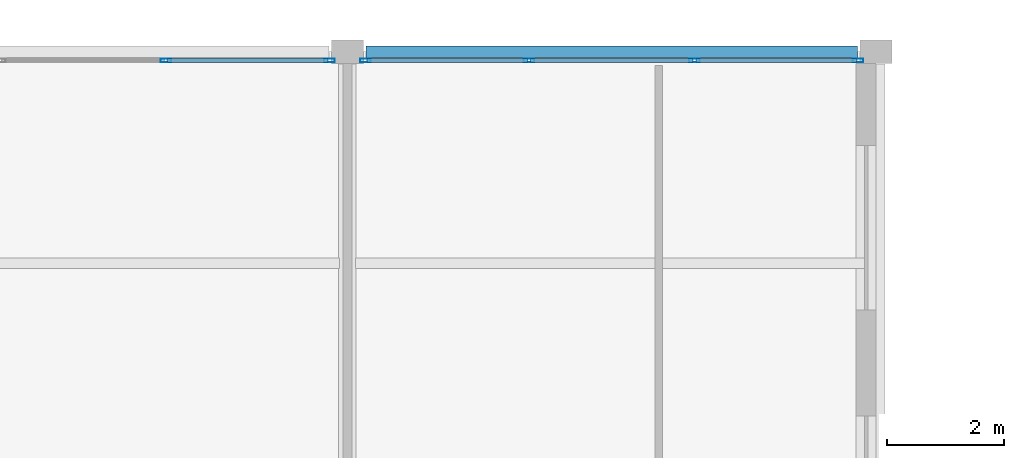
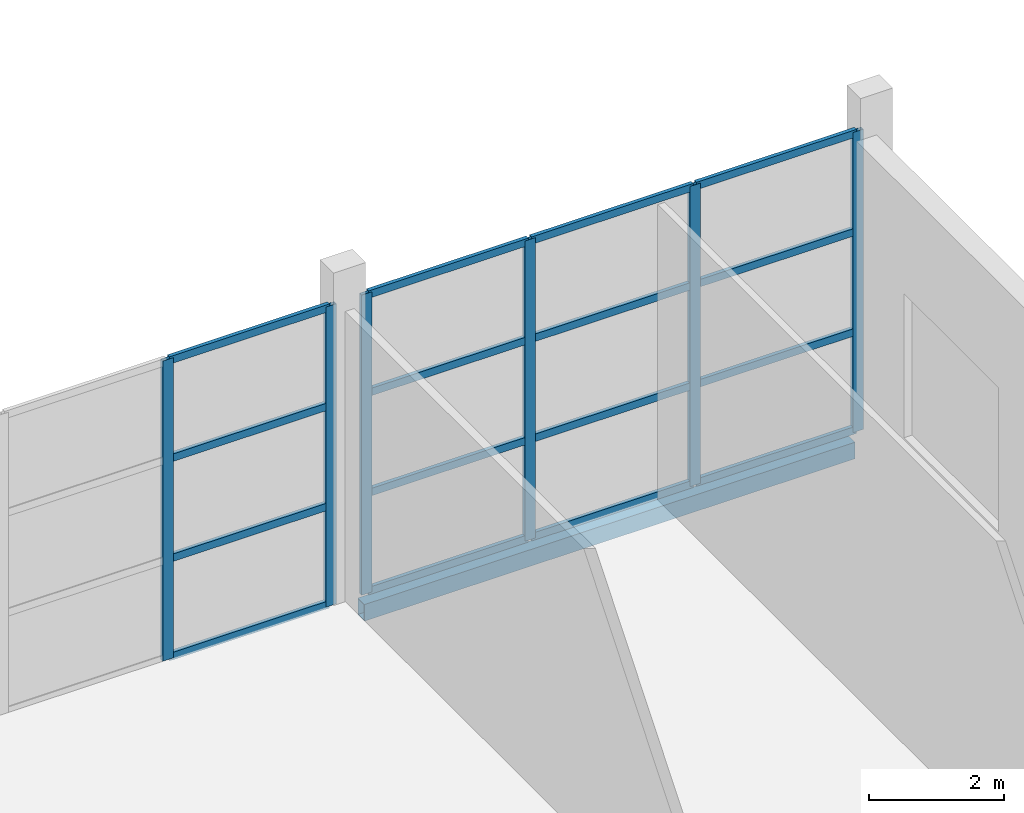
# One storey, part 99 of 191: 22 members, 1 beam, 2 elements without a shape of their own.
"""IFC4 building model written with IfcOpenShell, lengths in metres."""

from ifc_helpers import new_model, si_unit, direction, frame, origin, origin_2d, place, context, subcontext, project, spatial, hollow_rectangle, extrude, material, layer, layer_set, material_profile, profile_set, type_object, element, aggregate, save


model = new_model("IFC4")

# Units and contexts
model_context = context("Model", 3, precision=1e-05, world=origin(), true_north=direction((0.0, 1.0)))
body_context = subcontext(model_context, "Body", "Model", "MODEL_VIEW")
ifc_project = project(units=[si_unit("LENGTHUNIT", "METRE"), si_unit("AREAUNIT", "SQUARE_METRE"), si_unit("VOLUMEUNIT", "CUBIC_METRE"), si_unit("PLANEANGLEUNIT", "RADIAN"), si_unit("MASSUNIT", "GRAM", prefix="KILO")], contexts=[model_context])

# Site, building, storey
site_placement = place(None, origin())
site = spatial("IfcSite", under=ifc_project, at=site_placement, CompositionType="ELEMENT")
building_placement = place(site_placement, origin())
building = spatial("IfcBuilding", under=site, at=building_placement, Name="Tamarisk Ironworks Central Station", CompositionType="ELEMENT")
storey_placement = place(building_placement, frame((0.0, 0.0, 6.60009765625)))
storey = spatial("IfcBuildingStorey", under=building, at=storey_placement, Name="L01", CompositionType="ELEMENT", Elevation=6.60009765625)

# Beam
ifc_material_1 = material(Name="Structural steel S355J2", Category="steel")
ifc_material_profile_1 = material_profile(ifc_material_1, hollow_rectangle(XDim=0.199951171875, YDim=0.300048828125, WallThickness=0.011962890625, at=origin_2d()), Name="RHS 300x200x12")
ifc_profile_set_1 = profile_set([ifc_material_profile_1], Name="Structural steel S355J2")
beam_type = type_object("IfcBeamType", Name="BM-SP02", PredefinedType="SPANDREL", material=ifc_profile_set_1)
beam_placement = place(storey_placement, frame((36.31298828125, 122.39990234375, -0.400146484375), z_axis=(1.0, 0.0, 0.0), x_axis=(0.0, 1.0, 0.0)))
element("IfcBeam", 1, at=beam_placement, inside=storey, type_object=beam_type, Name="L01 primary girder X-0147", PredefinedType="SPANDREL", context=body_context, shape_type="SweptSolid", body=[
    extrude(hollow_rectangle(XDim=0.199951171875, YDim=0.300048828125, WallThickness=0.011962890625, at=origin_2d()), origin(), (0.0, 0.0, 1.0), 8.3740234375),
])

# Curtain wall, members
ifc_material_2 = material(Name="Anodized aluminium alloy 6063-T6", Category="aluminium")
ifc_layer = layer(ifc_material_2, 0.179931640625)
ifc_layer_set = layer_set([ifc_layer], Name="Anodized aluminium alloy 6063-T6")
curtain_wall_type = type_object("IfcCurtainWallType", Name="CW-13", PredefinedType="USERDEFINED", material=ifc_layer_set)
curtain_wall_1_placement = place(storey_placement, origin())
curtain_wall_1 = element("IfcCurtainWall", 2, at=curtain_wall_1_placement, inside=storey, type_object=curtain_wall_type, Name="Pavilion L01 N glazed arcade 27", ObjectType="GLAZED CURTAIN WALL", PredefinedType="USERDEFINED")
ifc_material_profile_2 = material_profile(ifc_material_2, hollow_rectangle(XDim=0.06494140625, YDim=0.179931640625, WallThickness=0.00390625, at=origin_2d()), Name="ALUM 180x65")
ifc_profile_set_2 = profile_set([ifc_material_profile_2], Name="Anodized aluminium alloy 6063-T6")
member_type_1 = type_object("IfcMemberType", Name="CWM-02", PredefinedType="MULLION", material=ifc_profile_set_2)
member_1_placement = place(storey_placement, frame((32.908935546875, 122.25, 0.0), z_axis=(0.0, 0.0, 1.0), x_axis=(0.0, 1.0, 0.0)))
member_1 = element("IfcMember", 3, at=member_1_placement, type_object=member_type_1, Name="CW13 mullion 3", PredefinedType="MULLION", context=body_context, shape_type="SweptSolid", body=[
    extrude(hollow_rectangle(XDim=0.06494140625, YDim=0.179931640625, WallThickness=0.00390625, at=origin_2d()), origin(), (0.0, 0.0, 1.0), 5.419921875),
])
member_2_placement = place(storey_placement, frame((35.694580078125, 122.25, 0.0), z_axis=(0.0, 0.0, 1.0), x_axis=(0.0, 1.0, 0.0)))
member_2 = element("IfcMember", 4, at=member_2_placement, type_object=member_type_1, Name="CW13 mullion 4", PredefinedType="MULLION", context=body_context, shape_type="SweptSolid", body=[
    extrude(hollow_rectangle(XDim=0.06494140625, YDim=0.179931640625, WallThickness=0.00390625, at=origin_2d()), origin(), (0.0, 0.0, 1.0), 5.419921875),
])

curtain_wall_2_placement = place(storey_placement, origin())
curtain_wall_2 = element("IfcCurtainWall", 5, at=curtain_wall_2_placement, inside=storey, type_object=curtain_wall_type, Name="Pavilion L01 N glazed arcade 36", ObjectType="GLAZED CURTAIN WALL", PredefinedType="USERDEFINED")
member_3_placement = place(storey_placement, frame((36.305419921875, 122.25, 0.0), z_axis=(0.0, 0.0, 1.0), x_axis=(0.0, 1.0, 0.0)))
member_3 = element("IfcMember", 6, at=member_3_placement, type_object=member_type_1, Name="CW13 mullion 1", PredefinedType="MULLION", context=body_context, shape_type="SweptSolid", body=[
    extrude(hollow_rectangle(XDim=0.06494140625, YDim=0.179931640625, WallThickness=0.00390625, at=origin_2d()), origin(), (0.0, 0.0, 1.0), 5.419921875),
])
member_4_placement = place(storey_placement, frame((39.091064453125, 122.25, 0.0), z_axis=(0.0, 0.0, 1.0), x_axis=(0.0, 1.0, 0.0)))
member_4 = element("IfcMember", 7, at=member_4_placement, type_object=member_type_1, Name="CW13 mullion 2", PredefinedType="MULLION", context=body_context, shape_type="SweptSolid", body=[
    extrude(hollow_rectangle(XDim=0.06494140625, YDim=0.179931640625, WallThickness=0.00390625, at=origin_2d()), origin(), (0.0, 0.0, 1.0), 5.419921875),
])
member_5_placement = place(storey_placement, frame((41.908935546875, 122.25, 0.0), z_axis=(0.0, 0.0, 1.0), x_axis=(0.0, 1.0, 0.0)))
member_5 = element("IfcMember", 8, at=member_5_placement, type_object=member_type_1, Name="CW13 mullion 3", PredefinedType="MULLION", context=body_context, shape_type="SweptSolid", body=[
    extrude(hollow_rectangle(XDim=0.06494140625, YDim=0.179931640625, WallThickness=0.00390625, at=origin_2d()), origin(), (0.0, 0.0, 1.0), 5.419921875),
])
member_6_placement = place(storey_placement, frame((44.694580078125, 122.25, 0.0), z_axis=(0.0, 0.0, 1.0), x_axis=(0.0, 1.0, 0.0)))
member_6 = element("IfcMember", 9, at=member_6_placement, type_object=member_type_1, Name="CW13 mullion 4", PredefinedType="MULLION", context=body_context, shape_type="SweptSolid", body=[
    extrude(hollow_rectangle(XDim=0.06494140625, YDim=0.179931640625, WallThickness=0.00390625, at=origin_2d()), origin(), (0.0, 0.0, 1.0), 5.419921875),
])

# Member
ifc_material_profile_3 = material_profile(ifc_material_2, hollow_rectangle(XDim=0.06494140625, YDim=0.135009765625, WallThickness=0.00341796875, at=origin_2d()), Name="ALUM 135x65")
ifc_profile_set_3 = profile_set([ifc_material_profile_3], Name="Anodized aluminium alloy 6063-T6")
member_type_2 = type_object("IfcMemberType", Name="CWT-02", PredefinedType="USERDEFINED", material=ifc_profile_set_3)
member_7_placement = place(storey_placement, frame((32.9375, 122.25, 0.032470703125), z_axis=(1.0, 0.0, 0.0), x_axis=(0.0, 1.0, 0.0)))
member_7 = element("IfcMember", 10, at=member_7_placement, type_object=member_type_2, Name="CW13 transom 3.1", ObjectType="TRANSOM", PredefinedType="USERDEFINED", context=body_context, shape_type="SweptSolid", body=[
    extrude(hollow_rectangle(XDim=0.06494140625, YDim=0.135009765625, WallThickness=0.00341796875, at=origin_2d()), origin(), (0.0, 0.0, 1.0), 2.728515625),
])

member_8_placement = place(storey_placement, frame((32.9375, 122.25, 1.806640625), z_axis=(1.0, 0.0, 0.0), x_axis=(0.0, 1.0, 0.0)))
member_8 = element("IfcMember", 11, at=member_8_placement, type_object=member_type_2, Name="CW13 transom 3.2", ObjectType="TRANSOM", PredefinedType="USERDEFINED", context=body_context, shape_type="SweptSolid", body=[
    extrude(hollow_rectangle(XDim=0.06494140625, YDim=0.135009765625, WallThickness=0.00341796875, at=origin_2d()), origin(), (0.0, 0.0, 1.0), 2.728515625),
])

member_9_placement = place(storey_placement, frame((32.9375, 122.25, 3.61328125), z_axis=(1.0, 0.0, 0.0), x_axis=(0.0, 1.0, 0.0)))
member_9 = element("IfcMember", 12, at=member_9_placement, type_object=member_type_2, Name="CW13 transom 3.3", ObjectType="TRANSOM", PredefinedType="USERDEFINED", context=body_context, shape_type="SweptSolid", body=[
    extrude(hollow_rectangle(XDim=0.06494140625, YDim=0.135009765625, WallThickness=0.00341796875, at=origin_2d()), origin(), (0.0, 0.0, 1.0), 2.728515625),
])

member_10_placement = place(storey_placement, frame((32.9375, 122.25, 5.387451171875), z_axis=(1.0, 0.0, 0.0), x_axis=(0.0, 1.0, 0.0)))
member_10 = element("IfcMember", 13, at=member_10_placement, type_object=member_type_2, Name="CW13 transom 3.4", ObjectType="TRANSOM", PredefinedType="USERDEFINED", context=body_context, shape_type="SweptSolid", body=[
    extrude(hollow_rectangle(XDim=0.06494140625, YDim=0.135009765625, WallThickness=0.00341796875, at=origin_2d()), origin(), (0.0, 0.0, 1.0), 2.728515625),
])

aggregate(curtain_wall_1, [member_1, member_2, member_7, member_8, member_9, member_10])

member_11_placement = place(storey_placement, frame((36.333984375, 122.25, 0.032470703125), z_axis=(1.0, 0.0, 0.0), x_axis=(0.0, 1.0, 0.0)))
member_11 = element("IfcMember", 14, at=member_11_placement, type_object=member_type_2, Name="CW13 transom 1.1", ObjectType="TRANSOM", PredefinedType="USERDEFINED", context=body_context, shape_type="SweptSolid", body=[
    extrude(hollow_rectangle(XDim=0.06494140625, YDim=0.135009765625, WallThickness=0.00341796875, at=origin_2d()), origin(), (0.0, 0.0, 1.0), 2.728515625),
])

member_12_placement = place(storey_placement, frame((36.333984375, 122.25, 1.806640625), z_axis=(1.0, 0.0, 0.0), x_axis=(0.0, 1.0, 0.0)))
member_12 = element("IfcMember", 15, at=member_12_placement, type_object=member_type_2, Name="CW13 transom 1.2", ObjectType="TRANSOM", PredefinedType="USERDEFINED", context=body_context, shape_type="SweptSolid", body=[
    extrude(hollow_rectangle(XDim=0.06494140625, YDim=0.135009765625, WallThickness=0.00341796875, at=origin_2d()), origin(), (0.0, 0.0, 1.0), 2.728515625),
])

member_13_placement = place(storey_placement, frame((36.333984375, 122.25, 3.61328125), z_axis=(1.0, 0.0, 0.0), x_axis=(0.0, 1.0, 0.0)))
member_13 = element("IfcMember", 16, at=member_13_placement, type_object=member_type_2, Name="CW13 transom 1.3", ObjectType="TRANSOM", PredefinedType="USERDEFINED", context=body_context, shape_type="SweptSolid", body=[
    extrude(hollow_rectangle(XDim=0.06494140625, YDim=0.135009765625, WallThickness=0.00341796875, at=origin_2d()), origin(), (0.0, 0.0, 1.0), 2.728515625),
])

member_14_placement = place(storey_placement, frame((36.333984375, 122.25, 5.387451171875), z_axis=(1.0, 0.0, 0.0), x_axis=(0.0, 1.0, 0.0)))
member_14 = element("IfcMember", 17, at=member_14_placement, type_object=member_type_2, Name="CW13 transom 1.4", ObjectType="TRANSOM", PredefinedType="USERDEFINED", context=body_context, shape_type="SweptSolid", body=[
    extrude(hollow_rectangle(XDim=0.06494140625, YDim=0.135009765625, WallThickness=0.00341796875, at=origin_2d()), origin(), (0.0, 0.0, 1.0), 2.728515625),
])

member_15_placement = place(storey_placement, frame((39.119384765625, 122.25, 0.032470703125), z_axis=(1.0, 0.0, 0.0), x_axis=(0.0, 1.0, 0.0)))
member_15 = element("IfcMember", 18, at=member_15_placement, type_object=member_type_2, Name="CW13 transom 2.1", ObjectType="TRANSOM", PredefinedType="USERDEFINED", context=body_context, shape_type="SweptSolid", body=[
    extrude(hollow_rectangle(XDim=0.06494140625, YDim=0.135009765625, WallThickness=0.00341796875, at=origin_2d()), origin(), (0.0, 0.0, 1.0), 2.76123046875),
])

member_16_placement = place(storey_placement, frame((39.119384765625, 122.25, 1.806640625), z_axis=(1.0, 0.0, 0.0), x_axis=(0.0, 1.0, 0.0)))
member_16 = element("IfcMember", 19, at=member_16_placement, type_object=member_type_2, Name="CW13 transom 2.2", ObjectType="TRANSOM", PredefinedType="USERDEFINED", context=body_context, shape_type="SweptSolid", body=[
    extrude(hollow_rectangle(XDim=0.06494140625, YDim=0.135009765625, WallThickness=0.00341796875, at=origin_2d()), origin(), (0.0, 0.0, 1.0), 2.76123046875),
])

member_17_placement = place(storey_placement, frame((39.119384765625, 122.25, 3.61328125), z_axis=(1.0, 0.0, 0.0), x_axis=(0.0, 1.0, 0.0)))
member_17 = element("IfcMember", 20, at=member_17_placement, type_object=member_type_2, Name="CW13 transom 2.3", ObjectType="TRANSOM", PredefinedType="USERDEFINED", context=body_context, shape_type="SweptSolid", body=[
    extrude(hollow_rectangle(XDim=0.06494140625, YDim=0.135009765625, WallThickness=0.00341796875, at=origin_2d()), origin(), (0.0, 0.0, 1.0), 2.76123046875),
])

member_18_placement = place(storey_placement, frame((39.119384765625, 122.25, 5.387451171875), z_axis=(1.0, 0.0, 0.0), x_axis=(0.0, 1.0, 0.0)))
member_18 = element("IfcMember", 21, at=member_18_placement, type_object=member_type_2, Name="CW13 transom 2.4", ObjectType="TRANSOM", PredefinedType="USERDEFINED", context=body_context, shape_type="SweptSolid", body=[
    extrude(hollow_rectangle(XDim=0.06494140625, YDim=0.135009765625, WallThickness=0.00341796875, at=origin_2d()), origin(), (0.0, 0.0, 1.0), 2.76123046875),
])

member_19_placement = place(storey_placement, frame((41.9375, 122.25, 0.032470703125), z_axis=(1.0, 0.0, 0.0), x_axis=(0.0, 1.0, 0.0)))
member_19 = element("IfcMember", 22, at=member_19_placement, type_object=member_type_2, Name="CW13 transom 3.1", ObjectType="TRANSOM", PredefinedType="USERDEFINED", context=body_context, shape_type="SweptSolid", body=[
    extrude(hollow_rectangle(XDim=0.06494140625, YDim=0.135009765625, WallThickness=0.00341796875, at=origin_2d()), origin(), (0.0, 0.0, 1.0), 2.728515625),
])

member_20_placement = place(storey_placement, frame((41.9375, 122.25, 1.806640625), z_axis=(1.0, 0.0, 0.0), x_axis=(0.0, 1.0, 0.0)))
member_20 = element("IfcMember", 23, at=member_20_placement, type_object=member_type_2, Name="CW13 transom 3.2", ObjectType="TRANSOM", PredefinedType="USERDEFINED", context=body_context, shape_type="SweptSolid", body=[
    extrude(hollow_rectangle(XDim=0.06494140625, YDim=0.135009765625, WallThickness=0.00341796875, at=origin_2d()), origin(), (0.0, 0.0, 1.0), 2.728515625),
])

member_21_placement = place(storey_placement, frame((41.9375, 122.25, 3.61328125), z_axis=(1.0, 0.0, 0.0), x_axis=(0.0, 1.0, 0.0)))
member_21 = element("IfcMember", 24, at=member_21_placement, type_object=member_type_2, Name="CW13 transom 3.3", ObjectType="TRANSOM", PredefinedType="USERDEFINED", context=body_context, shape_type="SweptSolid", body=[
    extrude(hollow_rectangle(XDim=0.06494140625, YDim=0.135009765625, WallThickness=0.00341796875, at=origin_2d()), origin(), (0.0, 0.0, 1.0), 2.728515625),
])

member_22_placement = place(storey_placement, frame((41.9375, 122.25, 5.387451171875), z_axis=(1.0, 0.0, 0.0), x_axis=(0.0, 1.0, 0.0)))
member_22 = element("IfcMember", 25, at=member_22_placement, type_object=member_type_2, Name="CW13 transom 3.4", ObjectType="TRANSOM", PredefinedType="USERDEFINED", context=body_context, shape_type="SweptSolid", body=[
    extrude(hollow_rectangle(XDim=0.06494140625, YDim=0.135009765625, WallThickness=0.00341796875, at=origin_2d()), origin(), (0.0, 0.0, 1.0), 2.728515625),
])

aggregate(curtain_wall_2, [member_3, member_4, member_5, member_6, member_11, member_12, member_13, member_14, member_15, member_16, member_17, member_18, member_19, member_20, member_21, member_22])

save(model, "model.ifc")
